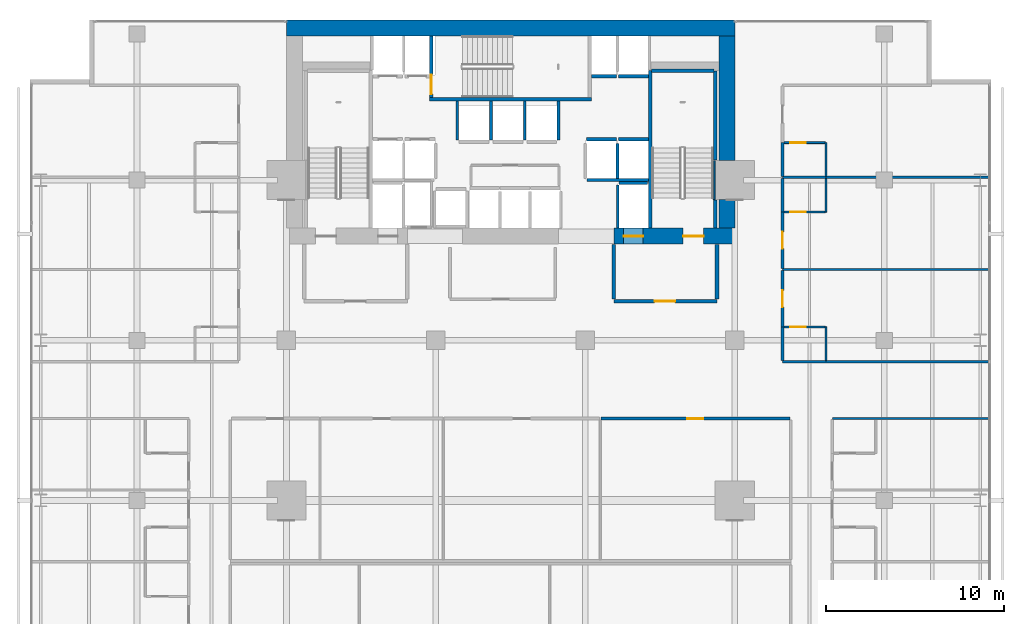
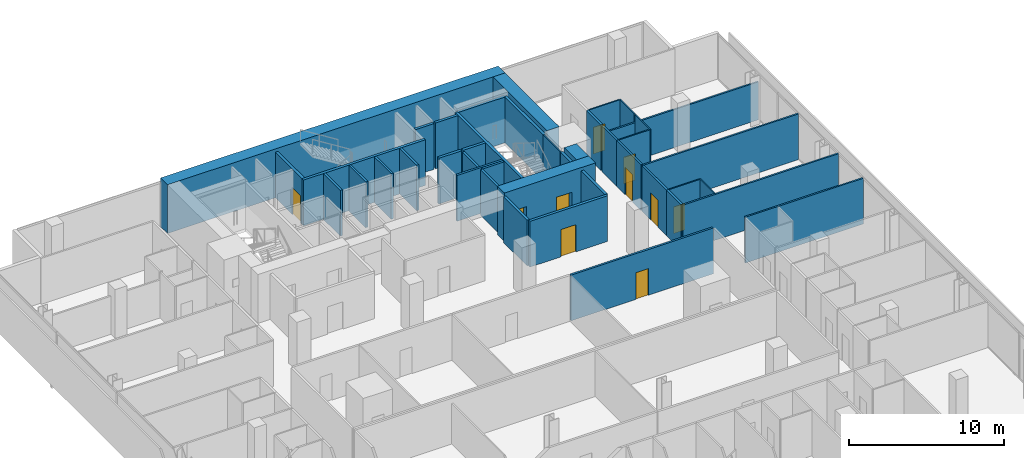
# One storey, part 37 of 40: 42 walls, 10 doors, 10 openings.
"""IFC4 building model written with IfcOpenShell, lengths in metres."""

from ifc_helpers import new_model, si_unit, direction, frame, frame_2d, origin, place, context, subcontext, project, spatial, rectangle, extrude, material, layer, layer_set, type_object, element, fill, save


model = new_model("IFC4")

# Units and contexts
model_context = context("Model", 3, precision=1e-05, world=origin(), true_north=direction((0.0, 1.0)))
body_context = subcontext(model_context, "Body", "Model", "MODEL_VIEW")
ifc_project = project(units=[si_unit("LENGTHUNIT", "METRE"), si_unit("AREAUNIT", "SQUARE_METRE"), si_unit("VOLUMEUNIT", "CUBIC_METRE"), si_unit("PLANEANGLEUNIT", "RADIAN"), si_unit("MASSUNIT", "GRAM", prefix="KILO")], contexts=[model_context])

# Site, building, storey
site_placement = place(None, origin())
site = spatial("IfcSite", under=ifc_project, at=site_placement, CompositionType="ELEMENT")
building_placement = place(site_placement, origin())
building = spatial("IfcBuilding", under=site, at=building_placement, Name="Maruvema Waterfront Hotel and Observation Tower", CompositionType="ELEMENT")
storey_placement = place(building_placement, frame((0.0, 0.0, 77.0)))
storey = spatial("IfcBuildingStorey", under=building, at=storey_placement, Name="L18", CompositionType="ELEMENT", Elevation=77.0)

# Wall, opening, door
ifc_material_1 = material(Name="Twin-stud acoustic gypsum drywall", Category="gypsum")
ifc_layer_1 = layer(ifc_material_1, 0.14990234375, Name="Acoustic Corridor and Suite Demising Wall 150 mm")
ifc_layer_set_1 = layer_set([ifc_layer_1], Name="Twin-stud acoustic gypsum drywall")
wall_type_1 = type_object("IfcWallType", Name="Acoustic Corridor and Suite Demising Wall 150 mm", PredefinedType="PARTITIONING", material=ifc_layer_set_1)
wall_1_placement = place(storey_placement, frame((42.8701171875, 31.60009765625, 0.0), z_axis=(0.0, 0.0, 1.0), x_axis=(1.0, 0.0, 0.0)))
wall_1 = element("IfcWall", 1, at=wall_1_placement, inside=storey, type_object=wall_type_1, Name="L18 L18-INTN Front 4 025", PredefinedType="PARTITIONING", context=body_context, shape_type="SweptSolid", body=[
    extrude(rectangle(XDim=10.619873046875, YDim=0.14990234375, at=frame_2d((5.31005859375, 0.0))), origin(), (0.0, 0.0, 1.0), 3.610107421875),
])
opening_1_placement = place(wall_1_placement, frame((4.860107421875, 0.0, 0.0)))
opening_1 = element("IfcOpeningElement", 2, at=opening_1_placement, cuts=wall_1, Name="Opening DR-090", PredefinedType="OPENING", context=body_context, shape_type="SweptSolid", body=[
    extrude(rectangle(XDim=0.89990234375, YDim=2.10009765625, at=frame_2d((0.449951171875, 1.050048828125))), frame((0.0, 0.0849609375, 0.0), z_axis=(0.0, -1.0, 0.0), x_axis=(1.0, 0.0, 0.0)), (0.0, 0.0, 1.0), 0.169921875),
])
ifc_material_2 = material(Name="Solid-core lacquered timber leaf", Category="wood")
door_type_1 = type_object("IfcDoorType", Name="Accessible Toilet and Room Door 900x2100 mm", OperationType="NOTDEFINED", PredefinedType="DOOR", material=ifc_material_2)
door_1_placement = place(opening_1_placement, origin())
door_1 = element("IfcDoor", 3, at=door_1_placement, inside=storey, type_object=door_type_1, Name="L18 Refreshment Kitchen Door", OperationType="SINGLE_SWING_LEFT", OverallHeight=2.10009765625, OverallWidth=0.89990234375, PredefinedType="DOOR", context=body_context, shape_type="SweptSolid", body=[
    extrude(rectangle(XDim=0.89990234375, YDim=2.10009765625, at=frame_2d((0.449951171875, 1.050048828125))), frame((0.0, 0.02490234375, 0.0), z_axis=(0.0, -1.0, 0.0), x_axis=(1.0, 0.0, 0.0)), (0.0, 0.0, 1.0), 0.050048828125),
])
fill(opening_1, door_1)

# Wall
wall_2_placement = place(storey_placement, frame((53.080078125, 34.860107421875, 0.0), z_axis=(0.0, 0.0, 1.0), x_axis=(0.0, 1.0, 0.0)))
element("IfcWall", 4, at=wall_2_placement, inside=storey, type_object=wall_type_1, Name="L18 Bath L18-NE1 Wall 120", PredefinedType="PARTITIONING", context=body_context, shape_type="SweptSolid", body=[
    extrude(rectangle(XDim=1.889892578125, YDim=0.14990234375, at=frame_2d((0.94482421875, 0.0))), origin(), (0.0, 0.0, 1.0), 3.610107421875),
])

# Wall, opening, door
wall_3_placement = place(storey_placement, frame((53.080078125, 36.75, 0.0), z_axis=(0.0, 0.0, 1.0), x_axis=(0.0, 1.0, 0.0)))
wall_3 = element("IfcWall", 5, at=wall_3_placement, inside=storey, type_object=wall_type_1, Name="L18 Room L18-NE1 Corridor Wall 121", PredefinedType="PARTITIONING", context=body_context, shape_type="SweptSolid", body=[
    extrude(rectangle(XDim=3.169189453125, YDim=0.14990234375, at=frame_2d((1.58447265625, 0.0))), origin(), (0.0, 0.0, 1.0), 3.610107421875),
])
opening_2_placement = place(wall_3_placement, frame((1.109619140625, 0.0, 0.0)))
opening_2 = element("IfcOpeningElement", 6, at=opening_2_placement, cuts=wall_3, Name="Opening DR-095", PredefinedType="OPENING", context=body_context, shape_type="SweptSolid", body=[
    extrude(rectangle(XDim=0.949951171875, YDim=2.14990234375, at=frame_2d((0.47509765625, 1.074951171875))), frame((0.0, 0.0849609375, 0.0), z_axis=(0.0, -1.0, 0.0), x_axis=(1.0, 0.0, 0.0)), (0.0, 0.0, 1.0), 0.169921875),
])
ifc_material_3 = material(Name="Acoustic solid-core hardwood timber leaf", Category="wood")
door_type_2 = type_object("IfcDoorType", Name="Guestroom Entrance Fire Door 950x2150 mm", OperationType="NOTDEFINED", PredefinedType="DOOR", material=ifc_material_3)
door_2_placement = place(opening_2_placement, frame((0.949951171875, 0.0, 0.0), z_axis=(0.0, 0.0, 1.0), x_axis=(-1.0, 0.0, 0.0)))
door_2 = element("IfcDoor", 7, at=door_2_placement, inside=storey, type_object=door_type_2, Name="L18 Room L18-NE1 Entrance Door", OperationType="SINGLE_SWING_LEFT", OverallHeight=2.14990234375, OverallWidth=0.949951171875, PredefinedType="DOOR", context=body_context, shape_type="SweptSolid", body=[
    extrude(rectangle(XDim=0.949951171875, YDim=2.14990234375, at=frame_2d((0.47509765625, 1.074951171875))), frame((0.0, 0.02490234375, 0.0), z_axis=(0.0, -1.0, 0.0), x_axis=(1.0, 0.0, 0.0)), (0.0, 0.0, 1.0), 0.050048828125),
])
fill(opening_2, door_2)

wall_4_placement = place(storey_placement, frame((53.080078125, 40.039306640625, 0.0), z_axis=(0.0, 0.0, 1.0), x_axis=(0.0, 1.0, 0.0)))
wall_4 = element("IfcWall", 8, at=wall_4_placement, inside=storey, type_object=wall_type_1, Name="L18 Room L18-NE2 Corridor Wall 130", PredefinedType="PARTITIONING", context=body_context, shape_type="SweptSolid", body=[
    extrude(rectangle(XDim=3.1689453125, YDim=0.14990234375, at=frame_2d((1.58447265625, 0.0))), origin(), (0.0, 0.0, 1.0), 3.610107421875),
])
opening_3_placement = place(wall_4_placement, frame((1.109619140625, 0.0, 0.0)))
opening_3 = element("IfcOpeningElement", 9, at=opening_3_placement, cuts=wall_4, Name="Opening DR-095", PredefinedType="OPENING", context=body_context, shape_type="SweptSolid", body=[
    extrude(rectangle(XDim=0.949951171875, YDim=2.14990234375, at=frame_2d((0.47509765625, 1.074951171875))), frame((0.0, 0.0849609375, 0.0), z_axis=(0.0, -1.0, 0.0), x_axis=(1.0, 0.0, 0.0)), (0.0, 0.0, 1.0), 0.169921875),
])
door_3_placement = place(opening_3_placement, frame((0.949951171875, 0.0, 0.0), z_axis=(0.0, 0.0, 1.0), x_axis=(-1.0, 0.0, 0.0)))
door_3 = element("IfcDoor", 10, at=door_3_placement, inside=storey, type_object=door_type_2, Name="L18 Room L18-NE2 Entrance Door", OperationType="SINGLE_SWING_LEFT", OverallHeight=2.14990234375, OverallWidth=0.949951171875, PredefinedType="DOOR", context=body_context, shape_type="SweptSolid", body=[
    extrude(rectangle(XDim=0.949951171875, YDim=2.14990234375, at=frame_2d((0.47509765625, 1.074951171875))), frame((0.0, 0.02490234375, 0.0), z_axis=(0.0, -1.0, 0.0), x_axis=(1.0, 0.0, 0.0)), (0.0, 0.0, 1.0), 0.050048828125),
])
fill(opening_3, door_3)

# Walls
for number, where, z_axis, x_axis, name in (
    (11, (53.080078125, 43.208251953125, 0.0), (0.0, 0.0, 1.0), (0.0, 1.0, 0.0), "L18 Bath L18-NE2 Wall 131"),
    (12, (53.080078125, 45.21826171875, 0.0), (0.0, 0.0, 1.0), (0.0, 1.0, 0.0), "L18 Bath L18-NE3 Wall 140"),
):
    element("IfcWall", number, at=place(storey_placement, frame(where, z_axis=z_axis, x_axis=x_axis)), inside=storey, type_object=wall_type_1, Name=name, PredefinedType="PARTITIONING", context=body_context, shape_type="SweptSolid", body=[
        extrude(rectangle(XDim=1.89013671875, YDim=0.14990234375, at=frame_2d((0.945068359375, 0.0))), origin(), (0.0, 0.0, 1.0), 3.610107421875),
    ])
ifc_material_4 = material(Name="Precast concrete C45/55", Category="concrete")
ifc_layer_2 = layer(ifc_material_4, 0.199951171875, Name="Core Shaft and Stairwell Enclosure Wall 200 mm")
ifc_layer_set_2 = layer_set([ifc_layer_2], Name="Precast concrete C45/55")
wall_type_2 = type_object("IfcWallType", Name="Core Shaft and Stairwell Enclosure Wall 200 mm", PredefinedType="SOLIDWALL", material=ifc_layer_set_2)
wall_5_placement = place(storey_placement, frame((33.25, 49.550048828125, 0.0), z_axis=(0.0, 0.0, 1.0), x_axis=(1.0, 0.0, 0.0)))
element("IfcWall", 13, at=wall_5_placement, inside=storey, type_object=wall_type_2, Name="L18 Stairwell ST-02 Shaft Wall", PredefinedType="SOLIDWALL", context=body_context, shape_type="SweptSolid", body=[
    extrude(rectangle(XDim=9.10009765625, YDim=0.199951171875, at=frame_2d((4.550048828125, 0.0))), origin(), (0.0, 0.0, 1.0), 3.610107421875),
])

# Wall, opening, door
wall_6_placement = place(storey_placement, frame((33.35009765625, 49.64990234375, 0.0), z_axis=(0.0, 0.0, 1.0), x_axis=(0.0, 1.0, 0.0)))
wall_6 = element("IfcWall", 14, at=wall_6_placement, inside=storey, type_object=wall_type_2, Name="L18 Stairwell ST-02 Shaft Wall", PredefinedType="SOLIDWALL", context=body_context, shape_type="SweptSolid", body=[
    extrude(rectangle(XDim=3.4501953125, YDim=0.199951171875, at=frame_2d((1.72509765625, 0.0))), origin(), (0.0, 0.0, 1.0), 3.610107421875),
])
opening_4_placement = place(wall_6_placement, frame((0.179931640625, 0.0, 0.0)))
opening_4 = element("IfcOpeningElement", 15, at=opening_4_placement, cuts=wall_6, Name="Opening SD-02", PredefinedType="OPENING", context=body_context, shape_type="SweptSolid", body=[
    extrude(rectangle(XDim=1.10009765625, YDim=2.14990234375, at=frame_2d((0.550048828125, 1.074951171875))), frame((0.0, 0.10986328125, 0.0), z_axis=(0.0, -1.0, 0.0), x_axis=(1.0, 0.0, 0.0)), (0.0, 0.0, 1.0), 0.219970703125),
])
ifc_material_5 = material(Name="Fire-rated galvanised steel leaf", Category="steel")
door_type_3 = type_object("IfcDoorType", Name="Central Exit Stair Fire Door 1100x2150 mm", OperationType="NOTDEFINED", PredefinedType="DOOR", material=ifc_material_5)
door_4_placement = place(opening_4_placement, frame((1.10009765625, 0.0, 0.0), z_axis=(0.0, 0.0, 1.0), x_axis=(-1.0, 0.0, 0.0)))
door_4 = element("IfcDoor", 16, at=door_4_placement, inside=storey, type_object=door_type_3, Name="L18 Exit Stair ST-02 Fire Door", OperationType="SINGLE_SWING_LEFT", OverallHeight=2.14990234375, OverallWidth=1.10009765625, PredefinedType="DOOR", context=body_context, shape_type="SweptSolid", body=[
    extrude(rectangle(XDim=1.10009765625, YDim=2.14990234375, at=frame_2d((0.550048828125, 1.074951171875))), frame((0.0, 0.02490234375, 0.0), z_axis=(0.0, -1.0, 0.0), x_axis=(1.0, 0.0, 0.0)), (0.0, 0.0, 1.0), 0.050048828125),
])
fill(opening_4, door_4)

# Walls
wall_7_placement = place(storey_placement, frame((45.64990234375, 42.300048828125, 0.0), z_axis=(0.0, 0.0, 1.0), x_axis=(0.0, 1.0, 0.0)))
element("IfcWall", 17, at=wall_7_placement, inside=storey, type_object=wall_type_2, Name="L18 Stairwell ST-03 West Shaft Wall", PredefinedType="SOLIDWALL", context=body_context, shape_type="SweptSolid", body=[
    extrude(rectangle(XDim=8.849853515625, YDim=0.199951171875, at=frame_2d((4.4248046875, 0.0))), origin(), (0.0, 0.0, 1.0), 3.610107421875),
])
wall_8_placement = place(storey_placement, frame((49.300048828125, 42.300048828125, 0.0), z_axis=(0.0, 0.0, 1.0), x_axis=(0.0, 1.0, 0.0)))
element("IfcWall", 18, at=wall_8_placement, inside=storey, type_object=wall_type_2, Name="L18 Stairwell ST-03 Shaft Lining Wall", PredefinedType="SOLIDWALL", context=body_context, shape_type="SweptSolid", body=[
    extrude(rectangle(XDim=1.579833984375, YDim=0.199951171875, at=frame_2d((0.7900390625, 0.0))), origin(), (0.0, 0.0, 1.0), 3.610107421875),
])
wall_9_placement = place(storey_placement, frame((49.300048828125, 46.1201171875, 0.0), z_axis=(0.0, 0.0, 1.0), x_axis=(0.0, 1.0, 0.0)))
element("IfcWall", 19, at=wall_9_placement, inside=storey, type_object=wall_type_2, Name="L18 Stairwell ST-03 Shaft Lining Wall", PredefinedType="SOLIDWALL", context=body_context, shape_type="SweptSolid", body=[
    extrude(rectangle(XDim=5.0, YDim=0.199951171875, at=frame_2d((2.5, 0.0))), origin(), (0.0, 0.0, 1.0), 3.610107421875),
])
wall_10_placement = place(storey_placement, frame((45.719970703125, 51.14990234375, 0.0), z_axis=(0.0, 0.0, 1.0), x_axis=(1.0, 0.0, 0.0)))
element("IfcWall", 20, at=wall_10_placement, inside=storey, type_object=wall_type_2, Name="L18 Stairwell ST-03 Shaft Lining Wall", PredefinedType="SOLIDWALL", context=body_context, shape_type="SweptSolid", body=[
    extrude(rectangle(XDim=3.5, YDim=0.199951171875, at=frame_2d((1.75, 0.0))), origin(), (0.0, 0.0, 1.0), 3.610107421875),
])
for number, where, z_axis, x_axis, name in (
    (21, (42.06005859375, 47.300048828125, 0.0), (0.0, 0.0, 1.0), (1.0, 0.0, 0.0), "L18 Lift LF-05 Hoistway Front Wall"),
    (22, (43.860107421875, 47.300048828125, 0.0), (0.0, 0.0, 1.0), (1.0, 0.0, 0.0), "L18 Lift LF-06 Hoistway Front Wall"),
):
    element("IfcWall", number, at=place(storey_placement, frame(where, z_axis=z_axis, x_axis=x_axis)), inside=storey, type_object=wall_type_2, Name=name, PredefinedType="SOLIDWALL", context=body_context, shape_type="SweptSolid", body=[
        extrude(rectangle(XDim=1.679931640625, YDim=0.199951171875, at=frame_2d((0.83984375, 0.0))), origin(), (0.0, 0.0, 1.0), 3.610107421875),
    ])
wall_11_placement = place(storey_placement, frame((42.360107421875, 50.85009765625, 0.0), z_axis=(0.0, 0.0, 1.0), x_axis=(1.0, 0.0, 0.0)))
element("IfcWall", 23, at=wall_11_placement, inside=storey, type_object=wall_type_2, Name="L18 Lift LF-07 Hoistway Front Wall", PredefinedType="SOLIDWALL", context=body_context, shape_type="SweptSolid", body=[
    extrude(rectangle(XDim=1.3798828125, YDim=0.199951171875, at=frame_2d((0.68994140625, 0.0))), origin(), (0.0, 0.0, 1.0), 3.610107421875),
])
wall_12_placement = place(storey_placement, frame((43.860107421875, 50.85009765625, 0.0), z_axis=(0.0, 0.0, 1.0), x_axis=(1.0, 0.0, 0.0)))
element("IfcWall", 24, at=wall_12_placement, inside=storey, type_object=wall_type_2, Name="L18 Lift LF-08 Hoistway Front Wall", PredefinedType="SOLIDWALL", context=body_context, shape_type="SweptSolid", body=[
    extrude(rectangle(XDim=1.679931640625, YDim=0.199951171875, at=frame_2d((0.83984375, 0.0))), origin(), (0.0, 0.0, 1.0), 3.610107421875),
])
ifc_material_6 = material(Name="Concrete C80/95", Category="concrete")
ifc_layer_3 = layer(ifc_material_6, 0.89990234375, Name="Core Shear Wall 900 mm")
ifc_layer_set_3 = layer_set([ifc_layer_3], Name="Concrete C80/95")
wall_type_3 = type_object("IfcWallType", Name="Core Shear Wall 900 mm", PredefinedType="SHEAR", material=ifc_layer_set_3)
wall_13_placement = place(storey_placement, frame((25.199951171875, 53.550048828125, 0.0), z_axis=(0.0, 0.0, 1.0), x_axis=(1.0, 0.0, 0.0)))
element("IfcWall", 25, at=wall_13_placement, inside=storey, type_object=wall_type_3, Name="L18 North Core Shear Wall", PredefinedType="SHEAR", context=body_context, shape_type="SweptSolid", body=[
    extrude(rectangle(XDim=25.199951171875, YDim=0.89990234375, at=frame_2d((12.60009765625, 0.0))), origin(), (0.0, 0.0, 1.0), 3.85009765625),
])

# Wall, openings, doors
wall_14_placement = place(storey_placement, frame((43.60009765625, 41.85009765625, 0.0), z_axis=(0.0, 0.0, 1.0), x_axis=(1.0, 0.0, 0.0)))
wall_14 = element("IfcWall", 26, at=wall_14_placement, inside=storey, type_object=wall_type_3, Name="L18 South-East Core Shear Wall", PredefinedType="SHEAR", context=body_context, shape_type="SweptSolid", body=[
    extrude(rectangle(XDim=6.7998046875, YDim=0.89990234375, at=frame_2d((3.39990234375, 0.0))), origin(), (0.0, 0.0, 1.0), 3.85009765625),
])
opening_5_placement = place(wall_14_placement, frame((3.89990234375, 0.0, 0.0)))
opening_5 = element("IfcOpeningElement", 27, at=opening_5_placement, cuts=wall_14, Name="Opening SD-01", PredefinedType="OPENING", context=body_context, shape_type="SweptSolid", body=[
    extrude(rectangle(XDim=1.14990234375, YDim=2.14990234375, at=frame_2d((0.574951171875, 1.074951171875))), frame((0.0, 0.4599609375, 0.0), z_axis=(0.0, -1.0, 0.0), x_axis=(1.0, 0.0, 0.0)), (0.0, 0.0, 1.0), 0.919921875),
])
opening_6_placement = place(wall_14_placement, frame((0.550048828125, 0.0, 0.0)))
opening_6 = element("IfcOpeningElement", 28, at=opening_6_placement, cuts=wall_14, Name="Opening LD-03", PredefinedType="OPENING", context=body_context, shape_type="SweptSolid", body=[
    extrude(rectangle(XDim=1.10009765625, YDim=2.199951171875, at=frame_2d((0.550048828125, 1.10009765625))), frame((0.0, 0.4599609375, 0.0), z_axis=(0.0, -1.0, 0.0), x_axis=(1.0, 0.0, 0.0)), (0.0, 0.0, 1.0), 0.919921875),
])
ifc_material_7 = material(Name="Fire-rated galvanised steel leaf", Category="steel")
door_type_4 = type_object("IfcDoorType", Name="Exit Stair Fire Door 1150x2150 mm", OperationType="NOTDEFINED", PredefinedType="DOOR", material=ifc_material_7)
door_5_placement = place(opening_5_placement, origin())
door_5 = element("IfcDoor", 29, at=door_5_placement, inside=storey, type_object=door_type_4, Name="L18 Exit Stair ST-03 Fire Door", OperationType="SINGLE_SWING_RIGHT", OverallHeight=2.14990234375, OverallWidth=1.14990234375, PredefinedType="DOOR", context=body_context, shape_type="SweptSolid", body=[
    extrude(rectangle(XDim=1.14990234375, YDim=2.14990234375, at=frame_2d((0.574951171875, 1.074951171875))), frame((0.0, 0.02490234375, 0.0), z_axis=(0.0, -1.0, 0.0), x_axis=(1.0, 0.0, 0.0)), (0.0, 0.0, 1.0), 0.050048828125),
])
fill(opening_5, door_5)
ifc_material_8 = material(Name="Brushed stainless steel Grade 316", Category="steel")
door_type_5 = type_object("IfcDoorType", Name="Firefighting Lift Sliding Landing Door 1100x2200 mm", OperationType="SLIDING_TO_LEFT", PredefinedType="DOOR", material=ifc_material_8)
door_6_placement = place(opening_6_placement, frame((1.10009765625, 0.0, 0.0), z_axis=(0.0, 0.0, 1.0), x_axis=(-1.0, 0.0, 0.0)))
door_6 = element("IfcDoor", 30, at=door_6_placement, inside=storey, type_object=door_type_5, Name="L18 Firefighting Lift FL-02 Landing Door", OperationType="SLIDING_TO_LEFT", OverallHeight=2.199951171875, OverallWidth=1.10009765625, PredefinedType="DOOR", context=body_context, shape_type="SweptSolid", body=[
    extrude(rectangle(XDim=1.10009765625, YDim=2.199951171875, at=frame_2d((0.550048828125, 1.10009765625))), frame((0.0, 0.02490234375, 0.0), z_axis=(0.0, -1.0, 0.0), x_axis=(1.0, 0.0, 0.0)), (0.0, 0.0, 1.0), 0.050048828125),
])
fill(opening_6, door_6)

# Walls
wall_15_placement = place(storey_placement, frame((49.949951171875, 42.300048828125, 0.0), z_axis=(0.0, 0.0, 1.0), x_axis=(0.0, 1.0, 0.0)))
element("IfcWall", 31, at=wall_15_placement, inside=storey, type_object=wall_type_3, Name="L18 East-South Core Shear Wall", PredefinedType="SHEAR", context=body_context, shape_type="SweptSolid", body=[
    extrude(rectangle(XDim=1.599853515625, YDim=0.89990234375, at=frame_2d((0.7998046875, 0.0))), origin(), (0.0, 0.0, 1.0), 3.85009765625),
])
wall_16_placement = place(storey_placement, frame((49.949951171875, 46.10009765625, 0.0), z_axis=(0.0, 0.0, 1.0), x_axis=(0.0, 1.0, 0.0)))
element("IfcWall", 32, at=wall_16_placement, inside=storey, type_object=wall_type_3, Name="L18 East-North Core Shear Wall", PredefinedType="SHEAR", context=body_context, shape_type="SweptSolid", body=[
    extrude(rectangle(XDim=7.0, YDim=0.89990234375, at=frame_2d((3.5, 0.0))), origin(), (0.0, 0.0, 1.0), 3.85009765625),
])
ifc_material_9 = material(Name="Moisture-resistant cement-board drywall", Category="gypsum")
ifc_layer_4 = layer(ifc_material_9, 0.10009765625, Name="En-Suite Moisture-Resistant Partition 100 mm")
ifc_layer_set_4 = layer_set([ifc_layer_4], Name="Moisture-resistant cement-board drywall")
wall_type_4 = type_object("IfcWallType", Name="En-Suite Moisture-Resistant Partition 100 mm", PredefinedType="PARTITIONING", material=ifc_layer_set_4)
wall_17_placement = place(storey_placement, frame((55.530029296875, 34.860107421875, 0.0), z_axis=(0.0, 0.0, 1.0), x_axis=(0.0, 1.0, 0.0)))
element("IfcWall", 33, at=wall_17_placement, inside=storey, type_object=wall_type_4, Name="L18 En-Suite L18-NE1 E 122", PredefinedType="PARTITIONING", context=body_context, shape_type="SweptSolid", body=[
    extrude(rectangle(XDim=1.889892578125, YDim=0.10009765625, at=frame_2d((0.94482421875, 0.0))), origin(), (0.0, 0.0, 1.0), 3.610107421875),
])

# Wall, opening, door
wall_18_placement = place(storey_placement, frame((53.179931640625, 36.75, 0.0), z_axis=(0.0, 0.0, 1.0), x_axis=(1.0, 0.0, 0.0)))
wall_18 = element("IfcWall", 34, at=wall_18_placement, inside=storey, type_object=wall_type_4, Name="L18 En-Suite L18-NE1 N 123", PredefinedType="PARTITIONING", context=body_context, shape_type="SweptSolid", body=[
    extrude(rectangle(XDim=2.300048828125, YDim=0.10009765625, at=frame_2d((1.14990234375, 0.0))), origin(), (0.0, 0.0, 1.0), 3.610107421875),
])
opening_7_placement = place(wall_18_placement, frame((0.35009765625, 0.0, 0.0)))
opening_7 = element("IfcOpeningElement", 35, at=opening_7_placement, cuts=wall_18, Name="Opening DR-085", PredefinedType="OPENING", context=body_context, shape_type="SweptSolid", body=[
    extrude(rectangle(XDim=0.85009765625, YDim=2.10009765625, at=frame_2d((0.425048828125, 1.050048828125))), frame((0.0, 0.06005859375, 0.0), z_axis=(0.0, -1.0, 0.0), x_axis=(1.0, 0.0, 0.0)), (0.0, 0.0, 1.0), 0.1201171875),
])
ifc_material_10 = material(Name="Moisture-resistant solid timber leaf", Category="wood")
door_type_6 = type_object("IfcDoorType", Name="En-Suite Bathroom Door 850x2100 mm", OperationType="NOTDEFINED", PredefinedType="DOOR", material=ifc_material_10)
door_7_placement = place(opening_7_placement, origin())
door_7 = element("IfcDoor", 36, at=door_7_placement, inside=storey, type_object=door_type_6, Name="L18 En-Suite L18-NE1 Door", OperationType="SINGLE_SWING_RIGHT", OverallHeight=2.10009765625, OverallWidth=0.85009765625, PredefinedType="DOOR", context=body_context, shape_type="SweptSolid", body=[
    extrude(rectangle(XDim=0.85009765625, YDim=2.10009765625, at=frame_2d((0.425048828125, 1.050048828125))), frame((0.0, 0.02490234375, 0.0), z_axis=(0.0, -1.0, 0.0), x_axis=(1.0, 0.0, 0.0)), (0.0, 0.0, 1.0), 0.050048828125),
])
fill(opening_7, door_7)

# Wall
wall_19_placement = place(storey_placement, frame((55.530029296875, 43.208251953125, 0.0), z_axis=(0.0, 0.0, 1.0), x_axis=(0.0, 1.0, 0.0)))
element("IfcWall", 37, at=wall_19_placement, inside=storey, type_object=wall_type_4, Name="L18 En-Suite L18-NE2 E 132", PredefinedType="PARTITIONING", context=body_context, shape_type="SweptSolid", body=[
    extrude(rectangle(XDim=1.89013671875, YDim=0.10009765625, at=frame_2d((0.945068359375, 0.0))), origin(), (0.0, 0.0, 1.0), 3.610107421875),
])

# Wall, opening, door
wall_20_placement = place(storey_placement, frame((53.179931640625, 43.208251953125, 0.0), z_axis=(0.0, 0.0, 1.0), x_axis=(1.0, 0.0, 0.0)))
wall_20 = element("IfcWall", 38, at=wall_20_placement, inside=storey, type_object=wall_type_4, Name="L18 En-Suite L18-NE2 S 133", PredefinedType="PARTITIONING", context=body_context, shape_type="SweptSolid", body=[
    extrude(rectangle(XDim=2.300048828125, YDim=0.10009765625, at=frame_2d((1.14990234375, 0.0))), origin(), (0.0, 0.0, 1.0), 3.610107421875),
])
opening_8_placement = place(wall_20_placement, frame((0.35009765625, 0.0, 0.0)))
opening_8 = element("IfcOpeningElement", 39, at=opening_8_placement, cuts=wall_20, Name="Opening DR-085", PredefinedType="OPENING", context=body_context, shape_type="SweptSolid", body=[
    extrude(rectangle(XDim=0.85009765625, YDim=2.10009765625, at=frame_2d((0.425048828125, 1.050048828125))), frame((0.0, 0.06005859375, 0.0), z_axis=(0.0, -1.0, 0.0), x_axis=(1.0, 0.0, 0.0)), (0.0, 0.0, 1.0), 0.1201171875),
])
door_8_placement = place(opening_8_placement, frame((0.85009765625, 0.0, 0.0), z_axis=(0.0, 0.0, 1.0), x_axis=(-1.0, 0.0, 0.0)))
door_8 = element("IfcDoor", 40, at=door_8_placement, inside=storey, type_object=door_type_6, Name="L18 En-Suite L18-NE2 Door", OperationType="SINGLE_SWING_RIGHT", OverallHeight=2.10009765625, OverallWidth=0.85009765625, PredefinedType="DOOR", context=body_context, shape_type="SweptSolid", body=[
    extrude(rectangle(XDim=0.85009765625, YDim=2.10009765625, at=frame_2d((0.425048828125, 1.050048828125))), frame((0.0, 0.02490234375, 0.0), z_axis=(0.0, -1.0, 0.0), x_axis=(1.0, 0.0, 0.0)), (0.0, 0.0, 1.0), 0.050048828125),
])
fill(opening_8, door_8)

# Wall
wall_21_placement = place(storey_placement, frame((55.530029296875, 45.21826171875, 0.0), z_axis=(0.0, 0.0, 1.0), x_axis=(0.0, 1.0, 0.0)))
element("IfcWall", 41, at=wall_21_placement, inside=storey, type_object=wall_type_4, Name="L18 En-Suite L18-NE3 E 142", PredefinedType="PARTITIONING", context=body_context, shape_type="SweptSolid", body=[
    extrude(rectangle(XDim=1.89013671875, YDim=0.10009765625, at=frame_2d((0.945068359375, 0.0))), origin(), (0.0, 0.0, 1.0), 3.610107421875),
])

# Wall, opening, door
wall_22_placement = place(storey_placement, frame((53.179931640625, 47.1083984375, 0.0), z_axis=(0.0, 0.0, 1.0), x_axis=(1.0, 0.0, 0.0)))
wall_22 = element("IfcWall", 42, at=wall_22_placement, inside=storey, type_object=wall_type_4, Name="L18 En-Suite L18-NE3 N 143", PredefinedType="PARTITIONING", context=body_context, shape_type="SweptSolid", body=[
    extrude(rectangle(XDim=2.300048828125, YDim=0.10009765625, at=frame_2d((1.14990234375, 0.0))), origin(), (0.0, 0.0, 1.0), 3.610107421875),
])
opening_9_placement = place(wall_22_placement, frame((0.35009765625, 0.0, 0.0)))
opening_9 = element("IfcOpeningElement", 43, at=opening_9_placement, cuts=wall_22, Name="Opening DR-085", PredefinedType="OPENING", context=body_context, shape_type="SweptSolid", body=[
    extrude(rectangle(XDim=0.85009765625, YDim=2.10009765625, at=frame_2d((0.425048828125, 1.050048828125))), frame((0.0, 0.06005859375, 0.0), z_axis=(0.0, -1.0, 0.0), x_axis=(1.0, 0.0, 0.0)), (0.0, 0.0, 1.0), 0.1201171875),
])
door_9_placement = place(opening_9_placement, origin())
door_9 = element("IfcDoor", 44, at=door_9_placement, inside=storey, type_object=door_type_6, Name="L18 En-Suite L18-NE3 Door", OperationType="SINGLE_SWING_RIGHT", OverallHeight=2.10009765625, OverallWidth=0.85009765625, PredefinedType="DOOR", context=body_context, shape_type="SweptSolid", body=[
    extrude(rectangle(XDim=0.85009765625, YDim=2.10009765625, at=frame_2d((0.425048828125, 1.050048828125))), frame((0.0, 0.02490234375, 0.0), z_axis=(0.0, -1.0, 0.0), x_axis=(1.0, 0.0, 0.0)), (0.0, 0.0, 1.0), 0.050048828125),
])
fill(opening_9, door_9)

ifc_material_11 = material(Name="Autoclaved cellular concrete blockwork", Category="masonry")
ifc_layer_5 = layer(ifc_material_11, 0.199951171875, Name="Fire Compartment Masonry Wall 200 mm")
ifc_layer_set_5 = layer_set([ifc_layer_5], Name="Autoclaved cellular concrete blockwork")
wall_type_5 = type_object("IfcWallType", Name="Fire Compartment Masonry Wall 200 mm", PredefinedType="PARTITIONING", material=ifc_layer_set_5)
wall_23_placement = place(storey_placement, frame((43.60009765625, 38.199951171875, 0.0), z_axis=(0.0, 0.0, 1.0), x_axis=(1.0, 0.0, 0.0)))
wall_23 = element("IfcWall", 45, at=wall_23_placement, inside=storey, type_object=wall_type_5, Name="L18 FFL East South Wall 004", PredefinedType="PARTITIONING", context=body_context, shape_type="SweptSolid", body=[
    extrude(rectangle(XDim=5.7998046875, YDim=0.199951171875, at=frame_2d((2.89990234375, 0.0))), origin(), (0.0, 0.0, 1.0), 3.610107421875),
])
opening_10_placement = place(wall_23_placement, frame((2.300048828125, 0.0, 0.0)))
opening_10 = element("IfcOpeningElement", 46, at=opening_10_placement, cuts=wall_23, Name="Opening FD-115", PredefinedType="OPENING", context=body_context, shape_type="SweptSolid", body=[
    extrude(rectangle(XDim=1.14990234375, YDim=2.14990234375, at=frame_2d((0.574951171875, 1.074951171875))), frame((0.0, 0.10986328125, 0.0), z_axis=(0.0, -1.0, 0.0), x_axis=(1.0, 0.0, 0.0)), (0.0, 0.0, 1.0), 0.219970703125),
])
ifc_material_12 = material(Name="Fire-rated galvanised steel and vision glass", Category="steel")
door_type_7 = type_object("IfcDoorType", Name="Firefighting Lobby Fire Door 1150x2150 mm", OperationType="NOTDEFINED", PredefinedType="DOOR", material=ifc_material_12)
door_10_placement = place(opening_10_placement, frame((1.14990234375, 0.0, 0.0), z_axis=(0.0, 0.0, 1.0), x_axis=(-1.0, 0.0, 0.0)))
door_10 = element("IfcDoor", 47, at=door_10_placement, inside=storey, type_object=door_type_7, Name="L18 Firefighting Lobby East Door", OperationType="SINGLE_SWING_RIGHT", OverallHeight=2.14990234375, OverallWidth=1.14990234375, PredefinedType="DOOR", context=body_context, shape_type="SweptSolid", body=[
    extrude(rectangle(XDim=1.14990234375, YDim=2.14990234375, at=frame_2d((0.574951171875, 1.074951171875))), frame((0.0, 0.02490234375, 0.0), z_axis=(0.0, -1.0, 0.0), x_axis=(1.0, 0.0, 0.0)), (0.0, 0.0, 1.0), 0.050048828125),
])
fill(opening_10, door_10)

# Walls
for number, where, z_axis, x_axis, name in (
    (48, (43.60009765625, 38.31005859375, 0.0), (0.0, 0.0, 1.0), (0.0, 1.0, 0.0), "L18 FFL East West Wall 005"),
    (49, (49.39990234375, 38.31005859375, 0.0), (0.0, 0.0, 1.0), (0.0, 1.0, 0.0), "L18 FFL East East Wall 006"),
):
    element("IfcWall", number, at=place(storey_placement, frame(where, z_axis=z_axis, x_axis=x_axis)), inside=storey, type_object=wall_type_5, Name=name, PredefinedType="PARTITIONING", context=body_context, shape_type="SweptSolid", body=[
        extrude(rectangle(XDim=3.06982421875, YDim=0.199951171875, at=frame_2d((1.534912109375, 0.0))), origin(), (0.0, 0.0, 1.0), 3.610107421875),
    ])
ifc_material_13 = material(Name="Acoustic gypsum plasterboard drywall", Category="gypsum")
ifc_layer_6 = layer(ifc_material_13, 0.125, Name="Guestroom Acoustic Demising Wall 125 mm")
ifc_layer_set_6 = layer_set([ifc_layer_6], Name="Acoustic gypsum plasterboard drywall")
wall_type_6 = type_object("IfcWallType", Name="Guestroom Acoustic Demising Wall 125 mm", PredefinedType="PARTITIONING", material=ifc_layer_set_6)
wall_24_placement = place(storey_placement, frame((55.8798828125, 31.60009765625, 0.0), z_axis=(0.0, 0.0, 1.0), x_axis=(1.0, 0.0, 0.0)))
element("IfcWall", 50, at=wall_24_placement, inside=storey, type_object=wall_type_6, Name="L18 E Top End 073", PredefinedType="PARTITIONING", context=body_context, shape_type="SweptSolid", body=[
    extrude(rectangle(XDim=8.820068359375, YDim=0.125, at=frame_2d((4.41015625, 0.0))), origin(), (0.0, 0.0, 1.0), 3.610107421875),
])
for number, where, z_axis, x_axis, name in (
    (51, (53.080078125, 34.800048828125, 0.0), (0.0, 0.0, 1.0), (1.0, 0.0, 0.0), "L18 NE Bot End 113"),
    (52, (53.080078125, 39.979248046875, 0.0), (0.0, 0.0, 1.0), (1.0, 0.0, 0.0), "L18 NE Demising 2 125"),
):
    element("IfcWall", number, at=place(storey_placement, frame(where, z_axis=z_axis, x_axis=x_axis)), inside=storey, type_object=wall_type_6, Name=name, PredefinedType="PARTITIONING", context=body_context, shape_type="SweptSolid", body=[
        extrude(rectangle(XDim=11.619873046875, YDim=0.125, at=frame_2d((5.81005859375, 0.0))), origin(), (0.0, 0.0, 1.0), 3.610107421875),
    ])
wall_25_placement = place(storey_placement, frame((53.080078125, 45.158203125, 0.0), z_axis=(0.0, 0.0, 1.0), x_axis=(1.0, 0.0, 0.0)))
element("IfcWall", 53, at=wall_25_placement, inside=storey, type_object=wall_type_6, Name="L18 NE Demising 3 135", PredefinedType="PARTITIONING", context=body_context, shape_type="SweptSolid", body=[
    extrude(rectangle(XDim=11.619873046875, YDim=0.125, at=frame_2d((5.81005859375, 0.0))), origin(), (0.0, 0.0, 1.0), 2.9990234375),
])
ifc_material_14 = material(Name="Precast concrete C45/55", Category="concrete")
ifc_layer_7 = layer(ifc_material_14, 0.159912109375, Name="Lift Hoistway Divider Wall 160 mm")
ifc_layer_set_7 = layer_set([ifc_layer_7], Name="Precast concrete C45/55")
wall_type_7 = type_object("IfcWallType", Name="Lift Hoistway Divider Wall 160 mm", PredefinedType="SOLIDWALL", material=ifc_layer_set_7)
wall_26_placement = place(storey_placement, frame((43.89990234375, 44.830078125, 0.0), z_axis=(0.0, 0.0, 1.0), x_axis=(1.0, 0.0, 0.0)))
element("IfcWall", 54, at=wall_26_placement, inside=storey, type_object=wall_type_7, Name="L18 Lift FL-02 Rear Hoistway Wall", PredefinedType="SOLIDWALL", context=body_context, shape_type="SweptSolid", body=[
    extrude(rectangle(XDim=1.60009765625, YDim=0.159912109375, at=frame_2d((0.800048828125, 0.0))), origin(), (0.0, 0.0, 1.0), 3.610107421875),
])
wall_27_placement = place(storey_placement, frame((43.820068359375, 42.300048828125, 0.0), z_axis=(0.0, 0.0, 1.0), x_axis=(0.0, 1.0, 0.0)))
element("IfcWall", 55, at=wall_27_placement, inside=storey, type_object=wall_type_7, Name="L18 Lift FL-02 Inner Hoistway Wall", PredefinedType="SOLIDWALL", context=body_context, shape_type="SweptSolid", body=[
    extrude(rectangle(XDim=2.43994140625, YDim=0.159912109375, at=frame_2d((1.219970703125, 0.0))), origin(), (0.0, 0.0, 1.0), 3.610107421875),
])
wall_28_placement = place(storey_placement, frame((43.800048828125, 45.10009765625, 0.0), z_axis=(0.0, 0.0, 1.0), x_axis=(0.0, 1.0, 0.0)))
element("IfcWall", 56, at=wall_28_placement, inside=storey, type_object=wall_type_7, Name="L18 Hoistway Divider Wall", PredefinedType="SOLIDWALL", context=body_context, shape_type="SweptSolid", body=[
    extrude(rectangle(XDim=1.949951171875, YDim=0.159912109375, at=frame_2d((0.97509765625, 0.0))), origin(), (0.0, 0.0, 1.0), 3.610107421875),
])
wall_29_placement = place(storey_placement, frame((42.10009765625, 45.010009765625, 0.0), z_axis=(0.0, 0.0, 1.0), x_axis=(1.0, 0.0, 0.0)))
element("IfcWall", 57, at=wall_29_placement, inside=storey, type_object=wall_type_7, Name="L18 Hoistway Divider Wall", PredefinedType="SOLIDWALL", context=body_context, shape_type="SweptSolid", body=[
    extrude(rectangle(XDim=3.449951171875, YDim=0.159912109375, at=frame_2d((1.72509765625, 0.0))), origin(), (0.0, 0.0, 1.0), 3.610107421875),
])
for number, where, z_axis, x_axis, name in (
    (58, (34.800048828125, 47.25, 0.0), (0.0, 0.0, 1.0), (0.0, 1.0, 0.0), "L18 Hoistway Divider Wall"),
    (59, (36.699951171875, 47.25, 0.0), (0.0, 0.0, 1.0), (0.0, 1.0, 0.0), "L18 Hoistway Divider Wall"),
    (60, (38.60009765625, 47.25, 0.0), (0.0, 0.0, 1.0), (0.0, 1.0, 0.0), "L18 Hoistway Divider Wall"),
    (61, (40.5, 47.25, 0.0), (0.0, 0.0, 1.0), (0.0, 1.0, 0.0), "L18 Hoistway Divider Wall"),
):
    element("IfcWall", number, at=place(storey_placement, frame(where, z_axis=z_axis, x_axis=x_axis)), inside=storey, type_object=wall_type_7, Name=name, PredefinedType="SOLIDWALL", context=body_context, shape_type="SweptSolid", body=[
        extrude(rectangle(XDim=2.18994140625, YDim=0.159912109375, at=frame_2d((1.094970703125, 0.0))), origin(), (0.0, 0.0, 1.0), 3.610107421875),
    ])
ifc_material_15 = material(Name="Precast concrete C45/55", Category="concrete")
ifc_layer_8 = layer(ifc_material_15, 0.10009765625, Name="Stairwell Stringer Cheek Wall 100 mm")
ifc_layer_set_8 = layer_set([ifc_layer_8], Name="Precast concrete C45/55")
wall_type_8 = type_object("IfcWallType", Name="Stairwell Stringer Cheek Wall 100 mm", PredefinedType="SOLIDWALL", material=ifc_layer_set_8)
wall_30_placement = place(storey_placement, frame((49.248046875, 43.89990234375, 0.0), z_axis=(0.0, 0.0, 1.0), x_axis=(0.0, 1.0, 0.0)))
element("IfcWall", 62, at=wall_30_placement, inside=storey, type_object=wall_type_8, Name="L18 Stairwell ST-03 Mega-Column Cheek Wall", PredefinedType="SOLIDWALL", context=body_context, shape_type="SweptSolid", body=[
    extrude(rectangle(XDim=2.2001953125, YDim=0.10009765625, at=frame_2d((1.10009765625, 0.0))), origin(), (0.0, 0.0, 1.0), 3.610107421875),
])

save(model, "model.ifc")
